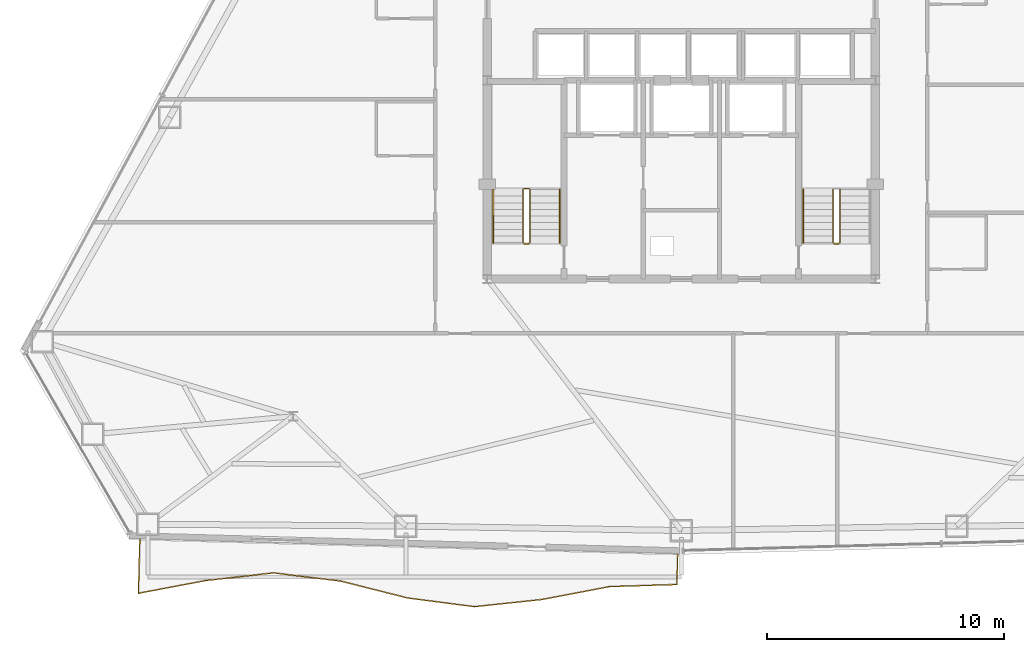
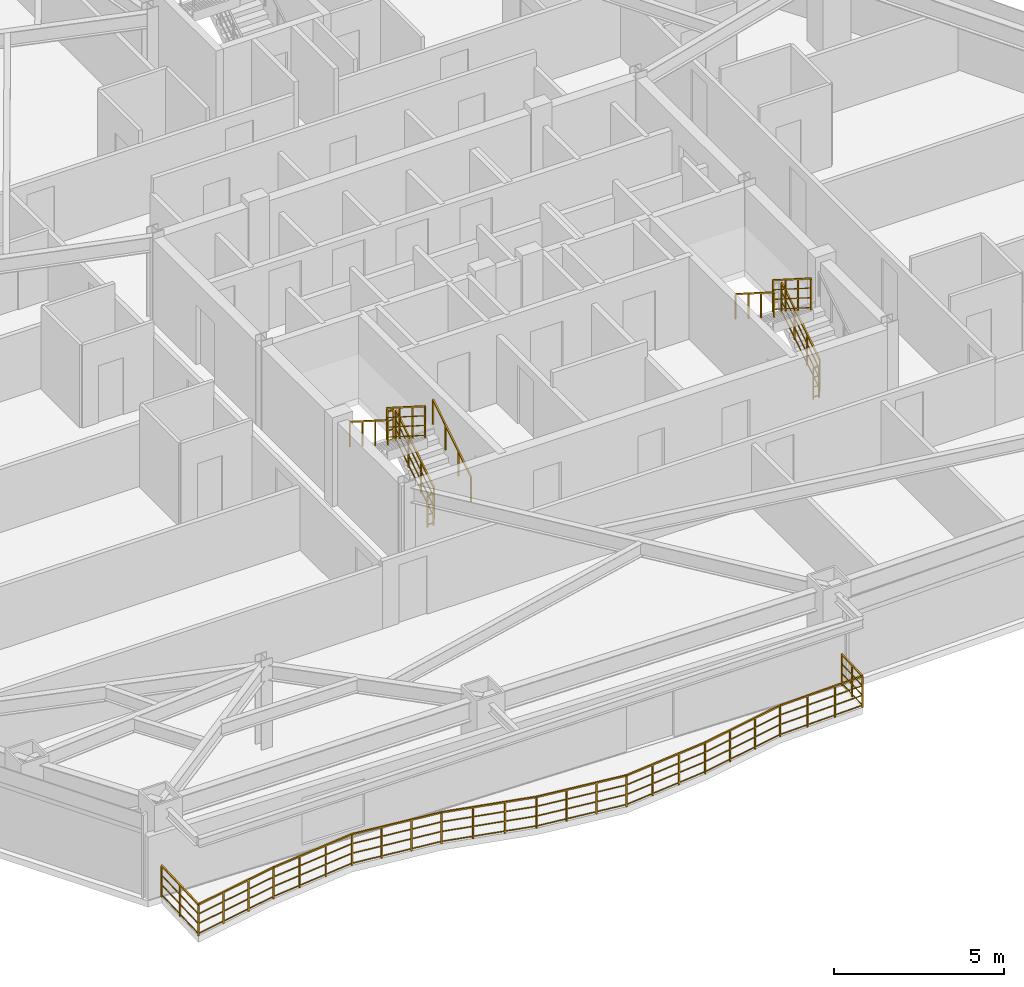
# One storey, part 12 of 13: 20 railings.
"""IFC4 building model written with IfcOpenShell, lengths in metres."""

from ifc_helpers import new_model, si_unit, direction, frame, origin, origin_2d, place, context, subcontext, project, spatial, rectangle, extrude, material, type_object, element, save


model = new_model("IFC4")

# Units and contexts
model_context = context("Model", 3, precision=1e-05, world=origin(), true_north=direction((0.0, 1.0)))
body_context = subcontext(model_context, "Body", "Model", "MODEL_VIEW")
ifc_project = project(units=[si_unit("LENGTHUNIT", "METRE"), si_unit("AREAUNIT", "SQUARE_METRE"), si_unit("VOLUMEUNIT", "CUBIC_METRE"), si_unit("PLANEANGLEUNIT", "RADIAN"), si_unit("MASSUNIT", "GRAM", prefix="KILO")], contexts=[model_context])

# Site, building, storey
site_placement = place(None, origin())
site = spatial("IfcSite", under=ifc_project, at=site_placement, CompositionType="ELEMENT")
building_placement = place(site_placement, origin())
building = spatial("IfcBuilding", under=site, at=building_placement, Name="Varakhsha Concourse Tower", CompositionType="ELEMENT")
storey_placement = place(building_placement, frame((0.0, 0.0, 102.199951171875)))
storey = spatial("IfcBuildingStorey", under=building, at=storey_placement, Name="L29", CompositionType="ELEMENT", Elevation=102.199951171875)

# Railings
ifc_material_1 = material(Name="Laminated Structural Low-Iron Glass 52 mm", Category="glass")
railing_type_1 = type_object("IfcRailingType", Name="RL-BALUSTRADE-1150", PredefinedType="BALUSTRADE", material=ifc_material_1)
railing_1_placement = place(storey_placement, frame((17.11572265625, 5.3876953125, 0.0)))
element("IfcRailing", 1, at=railing_1_placement, inside=storey, type_object=railing_type_1, Name="L29 Perimeter Safety Balustrade RL-LOG-L29-01", PredefinedType="BALUSTRADE", context=body_context, shape_type="SweptSolid", body=[
    extrude(rectangle(XDim=0.048095703125, YDim=0.048095703125, at=origin_2d()), frame((0.0, 0.0, 1.1259765625), z_axis=(-0.027481026125, -0.999622325282, 0.0), x_axis=(0.999622325282, -0.027481026125, 0.0)), (0.0, 0.0, 1.0), 2.2744140625),
    extrude(rectangle(XDim=0.028076171875, YDim=0.028076171875, at=origin_2d()), frame((0.0, 0.0, 0.080078125), z_axis=(-0.027481026125, -0.999622325282, 0.0), x_axis=(0.999622325282, -0.027481026125, 0.0)), (0.0, 0.0, 1.0), 2.2744140625),
    extrude(rectangle(XDim=0.028076171875, YDim=0.028076171875, at=origin_2d()), frame((0.0, 0.0, 0.43701171875), z_axis=(-0.027481026125, -0.999622325282, 0.0), x_axis=(0.999622325282, -0.027481026125, 0.0)), (0.0, 0.0, 1.0), 2.2744140625),
    extrude(rectangle(XDim=0.028076171875, YDim=0.028076171875, at=origin_2d()), frame((0.0, 0.0, 0.781982421875), z_axis=(-0.027481026125, -0.999622325282, 0.0), x_axis=(0.999622325282, -0.027481026125, 0.0)), (0.0, 0.0, 1.0), 2.2744140625),
    extrude(rectangle(XDim=0.0419921875, YDim=0.0419921875, at=origin_2d()), origin(), (0.0, 0.0, 1.0), 1.101806640625),
    extrude(rectangle(XDim=0.0419921875, YDim=0.0419921875, at=origin_2d()), frame((-0.03125, -1.13671875, 0.0)), (0.0, 0.0, 1.0), 1.101806640625),
    extrude(rectangle(XDim=0.0419921875, YDim=0.0419921875, at=origin_2d()), frame((-0.0625, -2.2734375, 0.0)), (0.0, 0.0, 1.0), 1.101806640625),
])
railing_2_placement = place(storey_placement, frame((17.05322265625, 3.1142578125, 0.0)))
element("IfcRailing", 2, at=railing_2_placement, inside=storey, type_object=railing_type_1, Name="L29 Perimeter Safety Balustrade RL-LOG-L29-02", PredefinedType="BALUSTRADE", context=body_context, shape_type="SweptSolid", body=[
    extrude(rectangle(XDim=0.048095703125, YDim=0.048095703125, at=origin_2d()), frame((0.0, 0.0, 1.1259765625), z_axis=(0.982591778887, 0.185777813702, 0.0), x_axis=(-0.185777813702, 0.982591778887, 0.0)), (0.0, 0.0, 1.0), 2.909423828125),
    extrude(rectangle(XDim=0.028076171875, YDim=0.028076171875, at=origin_2d()), frame((0.0, 0.0, 0.080078125), z_axis=(0.982591778887, 0.185777813702, 0.0), x_axis=(-0.185777813702, 0.982591778887, 0.0)), (0.0, 0.0, 1.0), 2.909423828125),
    extrude(rectangle(XDim=0.028076171875, YDim=0.028076171875, at=origin_2d()), frame((0.0, 0.0, 0.43701171875), z_axis=(0.982591778887, 0.185777813702, 0.0), x_axis=(-0.185777813702, 0.982591778887, 0.0)), (0.0, 0.0, 1.0), 2.909423828125),
    extrude(rectangle(XDim=0.028076171875, YDim=0.028076171875, at=origin_2d()), frame((0.0, 0.0, 0.781982421875), z_axis=(0.982591778887, 0.185777813702, 0.0), x_axis=(-0.185777813702, 0.982591778887, 0.0)), (0.0, 0.0, 1.0), 2.909423828125),
    extrude(rectangle(XDim=0.0419921875, YDim=0.0419921875, at=origin_2d()), origin(), (0.0, 0.0, 1.0), 1.101806640625),
    extrude(rectangle(XDim=0.0419921875, YDim=0.0419921875, at=origin_2d()), frame((0.952880859375, 0.18017578125, 0.0)), (0.0, 0.0, 1.0), 1.101806640625),
    extrude(rectangle(XDim=0.0419921875, YDim=0.0419921875, at=origin_2d()), frame((1.906005859375, 0.3603515625, 0.0)), (0.0, 0.0, 1.0), 1.101806640625),
    extrude(rectangle(XDim=0.0419921875, YDim=0.0419921875, at=origin_2d()), frame((2.85888671875, 0.54052734375, 0.0)), (0.0, 0.0, 1.0), 1.101806640625),
])
railing_3_placement = place(storey_placement, frame((19.912109375, 3.65478515625, 0.0)))
element("IfcRailing", 3, at=railing_3_placement, inside=storey, type_object=railing_type_1, Name="L29 Perimeter Safety Balustrade RL-LOG-L29-03", PredefinedType="BALUSTRADE", context=body_context, shape_type="SweptSolid", body=[
    extrude(rectangle(XDim=0.048095703125, YDim=0.048095703125, at=origin_2d()), frame((0.0, 0.0, 1.1259765625), z_axis=(0.993689323443, 0.112167412719, 0.0), x_axis=(-0.112167412719, 0.993689323443, 0.0)), (0.0, 0.0, 1.0), 2.870849609375),
    extrude(rectangle(XDim=0.028076171875, YDim=0.028076171875, at=origin_2d()), frame((0.0, 0.0, 0.080078125), z_axis=(0.993689323443, 0.112167412719, 0.0), x_axis=(-0.112167412719, 0.993689323443, 0.0)), (0.0, 0.0, 1.0), 2.870849609375),
    extrude(rectangle(XDim=0.028076171875, YDim=0.028076171875, at=origin_2d()), frame((0.0, 0.0, 0.43701171875), z_axis=(0.993689323443, 0.112167412719, 0.0), x_axis=(-0.112167412719, 0.993689323443, 0.0)), (0.0, 0.0, 1.0), 2.870849609375),
    extrude(rectangle(XDim=0.028076171875, YDim=0.028076171875, at=origin_2d()), frame((0.0, 0.0, 0.781982421875), z_axis=(0.993689323443, 0.112167412719, 0.0), x_axis=(-0.112167412719, 0.993689323443, 0.0)), (0.0, 0.0, 1.0), 2.870849609375),
    extrude(rectangle(XDim=0.0419921875, YDim=0.0419921875, at=origin_2d()), origin(), (0.0, 0.0, 1.0), 1.101806640625),
    extrude(rectangle(XDim=0.0419921875, YDim=0.0419921875, at=origin_2d()), frame((0.950927734375, 0.107421875, 0.0)), (0.0, 0.0, 1.0), 1.101806640625),
    extrude(rectangle(XDim=0.0419921875, YDim=0.0419921875, at=origin_2d()), frame((1.90185546875, 0.214599609375, 0.0)), (0.0, 0.0, 1.0), 1.101806640625),
    extrude(rectangle(XDim=0.0419921875, YDim=0.0419921875, at=origin_2d()), frame((2.852783203125, 0.322021484375, 0.0)), (0.0, 0.0, 1.0), 1.101806640625),
])
railing_4_placement = place(storey_placement, frame((22.764892578125, 3.976806640625, 0.0)))
element("IfcRailing", 4, at=railing_4_placement, inside=storey, type_object=railing_type_1, Name="L29 Perimeter Safety Balustrade RL-LOG-L29-04", PredefinedType="BALUSTRADE", context=body_context, shape_type="SweptSolid", body=[
    extrude(rectangle(XDim=0.048095703125, YDim=0.048095703125, at=origin_2d()), frame((0.0, 0.0, 1.1259765625), z_axis=(0.992643120641, -0.121076979828, 0.0), x_axis=(0.121076979828, 0.992643120641, 0.0)), (0.0, 0.0, 1.0), 2.855224609375),
    extrude(rectangle(XDim=0.028076171875, YDim=0.028076171875, at=origin_2d()), frame((0.0, 0.0, 0.080078125), z_axis=(0.992643120641, -0.121076979828, 0.0), x_axis=(0.121076979828, 0.992643120641, 0.0)), (0.0, 0.0, 1.0), 2.855224609375),
    extrude(rectangle(XDim=0.028076171875, YDim=0.028076171875, at=origin_2d()), frame((0.0, 0.0, 0.43701171875), z_axis=(0.992643120641, -0.121076979828, 0.0), x_axis=(0.121076979828, 0.992643120641, 0.0)), (0.0, 0.0, 1.0), 2.855224609375),
    extrude(rectangle(XDim=0.028076171875, YDim=0.028076171875, at=origin_2d()), frame((0.0, 0.0, 0.781982421875), z_axis=(0.992643120641, -0.121076979828, 0.0), x_axis=(0.121076979828, 0.992643120641, 0.0)), (0.0, 0.0, 1.0), 2.855224609375),
    extrude(rectangle(XDim=0.0419921875, YDim=0.0419921875, at=origin_2d()), origin(), (0.0, 0.0, 1.0), 1.101806640625),
    extrude(rectangle(XDim=0.0419921875, YDim=0.0419921875, at=origin_2d()), frame((0.94482421875, -0.115234375, 0.0)), (0.0, 0.0, 1.0), 1.101806640625),
    extrude(rectangle(XDim=0.0419921875, YDim=0.0419921875, at=origin_2d()), frame((1.889404296875, -0.23046875, 0.0)), (0.0, 0.0, 1.0), 1.101806640625),
    extrude(rectangle(XDim=0.0419921875, YDim=0.0419921875, at=origin_2d()), frame((2.834228515625, -0.345703125, 0.0)), (0.0, 0.0, 1.0), 1.101806640625),
])
railing_5_placement = place(storey_placement, frame((25.59912109375, 3.631103515625, 0.0)))
element("IfcRailing", 5, at=railing_5_placement, inside=storey, type_object=railing_type_1, Name="L29 Perimeter Safety Balustrade RL-LOG-L29-05", PredefinedType="BALUSTRADE", context=body_context, shape_type="SweptSolid", body=[
    extrude(rectangle(XDim=0.048095703125, YDim=0.048095703125, at=origin_2d()), frame((0.0, 0.0, 1.1259765625), z_axis=(0.969533118849, -0.244960265053, 0.0), x_axis=(0.244960265053, 0.969533118849, 0.0)), (0.0, 0.0, 1.0), 2.913330078125),
    extrude(rectangle(XDim=0.028076171875, YDim=0.028076171875, at=origin_2d()), frame((0.0, 0.0, 0.080078125), z_axis=(0.969533118849, -0.244960265053, 0.0), x_axis=(0.244960265053, 0.969533118849, 0.0)), (0.0, 0.0, 1.0), 2.913330078125),
    extrude(rectangle(XDim=0.028076171875, YDim=0.028076171875, at=origin_2d()), frame((0.0, 0.0, 0.43701171875), z_axis=(0.969533118849, -0.244960265053, 0.0), x_axis=(0.244960265053, 0.969533118849, 0.0)), (0.0, 0.0, 1.0), 2.913330078125),
    extrude(rectangle(XDim=0.028076171875, YDim=0.028076171875, at=origin_2d()), frame((0.0, 0.0, 0.781982421875), z_axis=(0.969533118849, -0.244960265053, 0.0), x_axis=(0.244960265053, 0.969533118849, 0.0)), (0.0, 0.0, 1.0), 2.913330078125),
    extrude(rectangle(XDim=0.0419921875, YDim=0.0419921875, at=origin_2d()), origin(), (0.0, 0.0, 1.0), 1.101806640625),
    extrude(rectangle(XDim=0.0419921875, YDim=0.0419921875, at=origin_2d()), frame((0.94140625, -0.23779296875, 0.0)), (0.0, 0.0, 1.0), 1.101806640625),
    extrude(rectangle(XDim=0.0419921875, YDim=0.0419921875, at=origin_2d()), frame((1.883056640625, -0.475830078125, 0.0)), (0.0, 0.0, 1.0), 1.101806640625),
    extrude(rectangle(XDim=0.0419921875, YDim=0.0419921875, at=origin_2d()), frame((2.824462890625, -0.713623046875, 0.0)), (0.0, 0.0, 1.0), 1.101806640625),
])
railing_6_placement = place(storey_placement, frame((28.423583984375, 2.91748046875, 0.0)))
element("IfcRailing", 6, at=railing_6_placement, inside=storey, type_object=railing_type_1, Name="L29 Perimeter Safety Balustrade RL-LOG-L29-06", PredefinedType="BALUSTRADE", context=body_context, shape_type="SweptSolid", body=[
    extrude(rectangle(XDim=0.048095703125, YDim=0.048095703125, at=origin_2d()), frame((0.0, 0.0, 1.1259765625), z_axis=(0.991654634327, -0.128922791695, 0.0), x_axis=(0.128922791695, 0.991654634327, 0.0)), (0.0, 0.0, 1.0), 2.857666015625),
    extrude(rectangle(XDim=0.028076171875, YDim=0.028076171875, at=origin_2d()), frame((0.0, 0.0, 0.080078125), z_axis=(0.991654634327, -0.128922791695, 0.0), x_axis=(0.128922791695, 0.991654634327, 0.0)), (0.0, 0.0, 1.0), 2.857666015625),
    extrude(rectangle(XDim=0.028076171875, YDim=0.028076171875, at=origin_2d()), frame((0.0, 0.0, 0.43701171875), z_axis=(0.991654634327, -0.128922791695, 0.0), x_axis=(0.128922791695, 0.991654634327, 0.0)), (0.0, 0.0, 1.0), 2.857666015625),
    extrude(rectangle(XDim=0.028076171875, YDim=0.028076171875, at=origin_2d()), frame((0.0, 0.0, 0.781982421875), z_axis=(0.991654634327, -0.128922791695, 0.0), x_axis=(0.128922791695, 0.991654634327, 0.0)), (0.0, 0.0, 1.0), 2.857666015625),
    extrude(rectangle(XDim=0.0419921875, YDim=0.0419921875, at=origin_2d()), origin(), (0.0, 0.0, 1.0), 1.101806640625),
    extrude(rectangle(XDim=0.0419921875, YDim=0.0419921875, at=origin_2d()), frame((0.944580078125, -0.122802734375, 0.0)), (0.0, 0.0, 1.0), 1.101806640625),
    extrude(rectangle(XDim=0.0419921875, YDim=0.0419921875, at=origin_2d()), frame((1.88916015625, -0.24560546875, 0.0)), (0.0, 0.0, 1.0), 1.101806640625),
    extrude(rectangle(XDim=0.0419921875, YDim=0.0419921875, at=origin_2d()), frame((2.833740234375, -0.368408203125, 0.0)), (0.0, 0.0, 1.0), 1.101806640625),
])
railing_7_placement = place(storey_placement, frame((31.25732421875, 2.549072265625, 0.0)))
element("IfcRailing", 7, at=railing_7_placement, inside=storey, type_object=railing_type_1, Name="L29 Perimeter Safety Balustrade RL-LOG-L29-07", PredefinedType="BALUSTRADE", context=body_context, shape_type="SweptSolid", body=[
    extrude(rectangle(XDim=0.048095703125, YDim=0.048095703125, at=origin_2d()), frame((0.0, 0.0, 1.1259765625), z_axis=(0.994432454403, 0.105375963242, 0.0), x_axis=(-0.105375963242, 0.994432454403, 0.0)), (0.0, 0.0, 1.0), 2.8681640625),
    extrude(rectangle(XDim=0.028076171875, YDim=0.028076171875, at=origin_2d()), frame((0.0, 0.0, 0.080078125), z_axis=(0.994432454403, 0.105375963242, 0.0), x_axis=(-0.105375963242, 0.994432454403, 0.0)), (0.0, 0.0, 1.0), 2.8681640625),
    extrude(rectangle(XDim=0.028076171875, YDim=0.028076171875, at=origin_2d()), frame((0.0, 0.0, 0.43701171875), z_axis=(0.994432454403, 0.105375963242, 0.0), x_axis=(-0.105375963242, 0.994432454403, 0.0)), (0.0, 0.0, 1.0), 2.8681640625),
    extrude(rectangle(XDim=0.028076171875, YDim=0.028076171875, at=origin_2d()), frame((0.0, 0.0, 0.781982421875), z_axis=(0.994432454403, 0.105375963242, 0.0), x_axis=(-0.105375963242, 0.994432454403, 0.0)), (0.0, 0.0, 1.0), 2.8681640625),
    extrude(rectangle(XDim=0.0419921875, YDim=0.0419921875, at=origin_2d()), origin(), (0.0, 0.0, 1.0), 1.101806640625),
    extrude(rectangle(XDim=0.0419921875, YDim=0.0419921875, at=origin_2d()), frame((0.95068359375, 0.100830078125, 0.0)), (0.0, 0.0, 1.0), 1.101806640625),
    extrude(rectangle(XDim=0.0419921875, YDim=0.0419921875, at=origin_2d()), frame((1.901611328125, 0.201416015625, 0.0)), (0.0, 0.0, 1.0), 1.101806640625),
    extrude(rectangle(XDim=0.0419921875, YDim=0.0419921875, at=origin_2d()), frame((2.852294921875, 0.30224609375, 0.0)), (0.0, 0.0, 1.0), 1.101806640625),
])
railing_8_placement = place(storey_placement, frame((34.109619140625, 2.851318359375, 0.0)))
element("IfcRailing", 8, at=railing_8_placement, inside=storey, type_object=railing_type_1, Name="L29 Perimeter Safety Balustrade RL-LOG-L29-08", PredefinedType="BALUSTRADE", context=body_context, shape_type="SweptSolid", body=[
    extrude(rectangle(XDim=0.048095703125, YDim=0.048095703125, at=origin_2d()), frame((0.0, 0.0, 1.1259765625), z_axis=(0.982253298248, 0.187559212202, 0.0), x_axis=(-0.187559212202, 0.982253298248, 0.0)), (0.0, 0.0, 1.0), 2.91064453125),
    extrude(rectangle(XDim=0.028076171875, YDim=0.028076171875, at=origin_2d()), frame((0.0, 0.0, 0.080078125), z_axis=(0.982253298248, 0.187559212202, 0.0), x_axis=(-0.187559212202, 0.982253298248, 0.0)), (0.0, 0.0, 1.0), 2.91064453125),
    extrude(rectangle(XDim=0.028076171875, YDim=0.028076171875, at=origin_2d()), frame((0.0, 0.0, 0.43701171875), z_axis=(0.982253298248, 0.187559212202, 0.0), x_axis=(-0.187559212202, 0.982253298248, 0.0)), (0.0, 0.0, 1.0), 2.91064453125),
    extrude(rectangle(XDim=0.028076171875, YDim=0.028076171875, at=origin_2d()), frame((0.0, 0.0, 0.781982421875), z_axis=(0.982253298248, 0.187559212202, 0.0), x_axis=(-0.187559212202, 0.982253298248, 0.0)), (0.0, 0.0, 1.0), 2.91064453125),
    extrude(rectangle(XDim=0.0419921875, YDim=0.0419921875, at=origin_2d()), origin(), (0.0, 0.0, 1.0), 1.101806640625),
    extrude(rectangle(XDim=0.0419921875, YDim=0.0419921875, at=origin_2d()), frame((0.952880859375, 0.181884765625, 0.0)), (0.0, 0.0, 1.0), 1.101806640625),
    extrude(rectangle(XDim=0.0419921875, YDim=0.0419921875, at=origin_2d()), frame((1.906005859375, 0.364013671875, 0.0)), (0.0, 0.0, 1.0), 1.101806640625),
    extrude(rectangle(XDim=0.0419921875, YDim=0.0419921875, at=origin_2d()), frame((2.85888671875, 0.5458984375, 0.0)), (0.0, 0.0, 1.0), 1.101806640625),
])
railing_9_placement = place(storey_placement, frame((36.968505859375, 3.397216796875, 0.0)))
element("IfcRailing", 9, at=railing_9_placement, inside=storey, type_object=railing_type_1, Name="L29 Perimeter Safety Balustrade RL-LOG-L29-09", PredefinedType="BALUSTRADE", context=body_context, shape_type="SweptSolid", body=[
    extrude(rectangle(XDim=0.048095703125, YDim=0.048095703125, at=origin_2d()), frame((0.0, 0.0, 1.1259765625), z_axis=(0.999510318115, 0.031290956867, 0.0), x_axis=(-0.031290956867, 0.999510318115, 0.0)), (0.0, 0.0, 1.0), 2.847900390625),
    extrude(rectangle(XDim=0.028076171875, YDim=0.028076171875, at=origin_2d()), frame((0.0, 0.0, 0.080078125), z_axis=(0.999510318115, 0.031290956867, 0.0), x_axis=(-0.031290956867, 0.999510318115, 0.0)), (0.0, 0.0, 1.0), 2.847900390625),
    extrude(rectangle(XDim=0.028076171875, YDim=0.028076171875, at=origin_2d()), frame((0.0, 0.0, 0.43701171875), z_axis=(0.999510318115, 0.031290956867, 0.0), x_axis=(-0.031290956867, 0.999510318115, 0.0)), (0.0, 0.0, 1.0), 2.847900390625),
    extrude(rectangle(XDim=0.028076171875, YDim=0.028076171875, at=origin_2d()), frame((0.0, 0.0, 0.781982421875), z_axis=(0.999510318115, 0.031290956867, 0.0), x_axis=(-0.031290956867, 0.999510318115, 0.0)), (0.0, 0.0, 1.0), 2.847900390625),
    extrude(rectangle(XDim=0.0419921875, YDim=0.0419921875, at=origin_2d()), origin(), (0.0, 0.0, 1.0), 1.101806640625),
    extrude(rectangle(XDim=0.0419921875, YDim=0.0419921875, at=origin_2d()), frame((0.94873046875, 0.02978515625, 0.0)), (0.0, 0.0, 1.0), 1.101806640625),
    extrude(rectangle(XDim=0.0419921875, YDim=0.0419921875, at=origin_2d()), frame((1.897705078125, 0.059326171875, 0.0)), (0.0, 0.0, 1.0), 1.101806640625),
    extrude(rectangle(XDim=0.0419921875, YDim=0.0419921875, at=origin_2d()), frame((2.846435546875, 0.089111328125, 0.0)), (0.0, 0.0, 1.0), 1.101806640625),
])
railing_10_placement = place(storey_placement, frame((39.81494140625, 3.486328125, 0.0)))
element("IfcRailing", 10, at=railing_10_placement, inside=storey, type_object=railing_type_1, Name="L29 Perimeter Safety Balustrade RL-LOG-L29-10", PredefinedType="BALUSTRADE", context=body_context, shape_type="SweptSolid", body=[
    extrude(rectangle(XDim=0.048095703125, YDim=0.048095703125, at=origin_2d()), frame((0.0, 0.0, 1.1259765625), z_axis=(0.027570438671, 0.999619863204, 0.0), x_axis=(-0.999619863204, 0.027570438671, 0.0)), (0.0, 0.0, 1.0), 1.275146484375),
    extrude(rectangle(XDim=0.028076171875, YDim=0.028076171875, at=origin_2d()), frame((0.0, 0.0, 0.080078125), z_axis=(0.027570438671, 0.999619863204, 0.0), x_axis=(-0.999619863204, 0.027570438671, 0.0)), (0.0, 0.0, 1.0), 1.275146484375),
    extrude(rectangle(XDim=0.028076171875, YDim=0.028076171875, at=origin_2d()), frame((0.0, 0.0, 0.43701171875), z_axis=(0.027570438671, 0.999619863204, 0.0), x_axis=(-0.999619863204, 0.027570438671, 0.0)), (0.0, 0.0, 1.0), 1.275146484375),
    extrude(rectangle(XDim=0.028076171875, YDim=0.028076171875, at=origin_2d()), frame((0.0, 0.0, 0.781982421875), z_axis=(0.027570438671, 0.999619863204, 0.0), x_axis=(-0.999619863204, 0.027570438671, 0.0)), (0.0, 0.0, 1.0), 1.275146484375),
    extrude(rectangle(XDim=0.0419921875, YDim=0.0419921875, at=origin_2d()), origin(), (0.0, 0.0, 1.0), 1.101806640625),
    extrude(rectangle(XDim=0.0419921875, YDim=0.0419921875, at=origin_2d()), frame((0.017578125, 0.63720703125, 0.0)), (0.0, 0.0, 1.0), 1.101806640625),
    extrude(rectangle(XDim=0.0419921875, YDim=0.0419921875, at=origin_2d()), frame((0.03515625, 1.274658203125, 0.0)), (0.0, 0.0, 1.0), 1.101806640625),
])
ifc_material_2 = material(Name="Brushed Austenitic Stainless Steel AISI 316", Category="steel")
railing_type_2 = type_object("IfcRailingType", Name="RL-STAIR-GUARD-1100", PredefinedType="GUARDRAIL", material=ifc_material_2)
railing_11_placement = place(storey_placement, frame((33.610107421875, 17.93994140625, 0.177734375)))
element("IfcRailing", 11, at=railing_11_placement, inside=storey, type_object=railing_type_2, Name="L29 ST1 stair guard 1", PredefinedType="GUARDRAIL", context=body_context, shape_type="SweptSolid", body=[
    extrude(rectangle(XDim=0.048095703125, YDim=0.048095703125, at=origin_2d()), frame((0.0, 0.0, 1.1259765625), z_axis=(0.0, 0.84418770128, 0.536047689118), x_axis=(-1.0, 0.0, 0.0)), (0.0, 0.0, 1.0), 2.6533203125),
    extrude(rectangle(XDim=0.028076171875, YDim=0.028076171875, at=origin_2d()), frame((0.0, 0.0, 0.080078125), z_axis=(0.0, 0.84418770128, 0.536047689118), x_axis=(-1.0, 0.0, 0.0)), (0.0, 0.0, 1.0), 2.6533203125),
    extrude(rectangle(XDim=0.028076171875, YDim=0.028076171875, at=origin_2d()), frame((0.0, 0.0, 0.43701171875), z_axis=(0.0, 0.84418770128, 0.536047689118), x_axis=(-1.0, 0.0, 0.0)), (0.0, 0.0, 1.0), 2.6533203125),
    extrude(rectangle(XDim=0.028076171875, YDim=0.028076171875, at=origin_2d()), frame((0.0, 0.0, 0.781982421875), z_axis=(0.0, 0.84418770128, 0.536047689118), x_axis=(-1.0, 0.0, 0.0)), (0.0, 0.0, 1.0), 2.6533203125),
    extrude(rectangle(XDim=0.0419921875, YDim=0.0419921875, at=origin_2d()), origin(), (0.0, 0.0, 1.0), 1.101806640625),
    extrude(rectangle(XDim=0.0419921875, YDim=0.0419921875, at=origin_2d()), frame((0.0, 0.74658203125, 0.47412109375)), (0.0, 0.0, 1.0), 1.101806640625),
    extrude(rectangle(XDim=0.0419921875, YDim=0.0419921875, at=origin_2d()), frame((0.0, 1.493408203125, 0.9482421875)), (0.0, 0.0, 1.0), 1.101806640625),
    extrude(rectangle(XDim=0.0419921875, YDim=0.0419921875, at=origin_2d()), frame((0.0, 2.239990234375, 1.42236328125)), (0.0, 0.0, 1.0), 1.101806640625),
])
railing_12_placement = place(storey_placement, frame((33.56005859375, 20.22998046875, 1.60009765625)))
element("IfcRailing", 12, at=railing_12_placement, inside=storey, type_object=railing_type_2, Name="L29 ST1 stair guard 2", PredefinedType="GUARDRAIL", context=body_context, shape_type="SweptSolid", body=[
    extrude(rectangle(XDim=0.048095703125, YDim=0.048095703125, at=origin_2d()), frame((0.0, 0.0, 1.1259765625), z_axis=(-1.0, 0.0, 0.0), x_axis=(0.0, -1.0, 0.0)), (0.0, 0.0, 1.0), 0.199951171875),
    extrude(rectangle(XDim=0.028076171875, YDim=0.028076171875, at=origin_2d()), frame((0.0, 0.0, 0.080078125), z_axis=(-1.0, 0.0, 0.0), x_axis=(0.0, -1.0, 0.0)), (0.0, 0.0, 1.0), 0.199951171875),
    extrude(rectangle(XDim=0.028076171875, YDim=0.028076171875, at=origin_2d()), frame((0.0, 0.0, 0.43701171875), z_axis=(-1.0, 0.0, 0.0), x_axis=(0.0, -1.0, 0.0)), (0.0, 0.0, 1.0), 0.199951171875),
    extrude(rectangle(XDim=0.028076171875, YDim=0.028076171875, at=origin_2d()), frame((0.0, 0.0, 0.781982421875), z_axis=(-1.0, 0.0, 0.0), x_axis=(0.0, -1.0, 0.0)), (0.0, 0.0, 1.0), 0.199951171875),
    extrude(rectangle(XDim=0.0419921875, YDim=0.0419921875, at=origin_2d()), origin(), (0.0, 0.0, 1.0), 1.101806640625),
    extrude(rectangle(XDim=0.0419921875, YDim=0.0419921875, at=origin_2d()), frame((-0.199951171875, 0.0, 0.0)), (0.0, 0.0, 1.0), 1.101806640625),
])
railing_13_placement = place(storey_placement, frame((33.31005859375, 20.179931640625, 1.77783203125)))
element("IfcRailing", 13, at=railing_13_placement, inside=storey, type_object=railing_type_2, Name="L29 ST1 stair guard 3", PredefinedType="GUARDRAIL", context=body_context, shape_type="SweptSolid", body=[
    extrude(rectangle(XDim=0.048095703125, YDim=0.048095703125, at=origin_2d()), frame((0.0, 0.0, 1.1259765625), z_axis=(0.0, -0.8442293374, 0.53598211339), x_axis=(1.0, 0.0, 0.0)), (0.0, 0.0, 1.0), 2.6533203125),
    extrude(rectangle(XDim=0.028076171875, YDim=0.028076171875, at=origin_2d()), frame((0.0, 0.0, 0.080078125), z_axis=(0.0, -0.8442293374, 0.53598211339), x_axis=(1.0, 0.0, 0.0)), (0.0, 0.0, 1.0), 2.6533203125),
    extrude(rectangle(XDim=0.028076171875, YDim=0.028076171875, at=origin_2d()), frame((0.0, 0.0, 0.43701171875), z_axis=(0.0, -0.8442293374, 0.53598211339), x_axis=(1.0, 0.0, 0.0)), (0.0, 0.0, 1.0), 2.6533203125),
    extrude(rectangle(XDim=0.028076171875, YDim=0.028076171875, at=origin_2d()), frame((0.0, 0.0, 0.781982421875), z_axis=(0.0, -0.8442293374, 0.53598211339), x_axis=(1.0, 0.0, 0.0)), (0.0, 0.0, 1.0), 2.6533203125),
    extrude(rectangle(XDim=0.0419921875, YDim=0.0419921875, at=origin_2d()), origin(), (0.0, 0.0, 1.0), 1.101806640625),
    extrude(rectangle(XDim=0.0419921875, YDim=0.0419921875, at=origin_2d()), frame((0.0, -0.74658203125, 0.47412109375)), (0.0, 0.0, 1.0), 1.101806640625),
    extrude(rectangle(XDim=0.0419921875, YDim=0.0419921875, at=origin_2d()), frame((0.0, -1.493408203125, 0.947998046875)), (0.0, 0.0, 1.0), 1.101806640625),
    extrude(rectangle(XDim=0.0419921875, YDim=0.0419921875, at=origin_2d()), frame((0.0, -2.239990234375, 1.422119140625)), (0.0, 0.0, 1.0), 1.101806640625),
])
railing_14_placement = place(storey_placement, frame((33.56005859375, 17.889892578125, 0.0)))
element("IfcRailing", 14, at=railing_14_placement, inside=storey, type_object=railing_type_2, Name="L29 ST1 stair guard 4", PredefinedType="GUARDRAIL", context=body_context, shape_type="SweptSolid", body=[
    extrude(rectangle(XDim=0.048095703125, YDim=0.048095703125, at=origin_2d()), frame((0.0, 0.0, 1.1259765625), z_axis=(-1.0, 0.0, 0.0), x_axis=(0.0, -1.0, 0.0)), (0.0, 0.0, 1.0), 0.199951171875),
    extrude(rectangle(XDim=0.028076171875, YDim=0.028076171875, at=origin_2d()), frame((0.0, 0.0, 0.080078125), z_axis=(-1.0, 0.0, 0.0), x_axis=(0.0, -1.0, 0.0)), (0.0, 0.0, 1.0), 0.199951171875),
    extrude(rectangle(XDim=0.028076171875, YDim=0.028076171875, at=origin_2d()), frame((0.0, 0.0, 0.43701171875), z_axis=(-1.0, 0.0, 0.0), x_axis=(0.0, -1.0, 0.0)), (0.0, 0.0, 1.0), 0.199951171875),
    extrude(rectangle(XDim=0.028076171875, YDim=0.028076171875, at=origin_2d()), frame((0.0, 0.0, 0.781982421875), z_axis=(-1.0, 0.0, 0.0), x_axis=(0.0, -1.0, 0.0)), (0.0, 0.0, 1.0), 0.199951171875),
    extrude(rectangle(XDim=0.0419921875, YDim=0.0419921875, at=origin_2d()), origin(), (0.0, 0.0, 1.0), 1.101806640625),
    extrude(rectangle(XDim=0.0419921875, YDim=0.0419921875, at=origin_2d()), frame((-0.199951171875, 0.0, 0.0)), (0.0, 0.0, 1.0), 1.101806640625),
])
railing_15_placement = place(storey_placement, frame((46.7099609375, 17.93994140625, 0.177734375)))
element("IfcRailing", 15, at=railing_15_placement, inside=storey, type_object=railing_type_2, Name="L29 ST2 stair guard 1", PredefinedType="GUARDRAIL", context=body_context, shape_type="SweptSolid", body=[
    extrude(rectangle(XDim=0.048095703125, YDim=0.048095703125, at=origin_2d()), frame((0.0, 0.0, 1.1259765625), z_axis=(0.0, 0.84418770128, 0.536047689118), x_axis=(-1.0, 0.0, 0.0)), (0.0, 0.0, 1.0), 2.6533203125),
    extrude(rectangle(XDim=0.028076171875, YDim=0.028076171875, at=origin_2d()), frame((0.0, 0.0, 0.080078125), z_axis=(0.0, 0.84418770128, 0.536047689118), x_axis=(-1.0, 0.0, 0.0)), (0.0, 0.0, 1.0), 2.6533203125),
    extrude(rectangle(XDim=0.028076171875, YDim=0.028076171875, at=origin_2d()), frame((0.0, 0.0, 0.43701171875), z_axis=(0.0, 0.84418770128, 0.536047689118), x_axis=(-1.0, 0.0, 0.0)), (0.0, 0.0, 1.0), 2.6533203125),
    extrude(rectangle(XDim=0.028076171875, YDim=0.028076171875, at=origin_2d()), frame((0.0, 0.0, 0.781982421875), z_axis=(0.0, 0.84418770128, 0.536047689118), x_axis=(-1.0, 0.0, 0.0)), (0.0, 0.0, 1.0), 2.6533203125),
    extrude(rectangle(XDim=0.0419921875, YDim=0.0419921875, at=origin_2d()), origin(), (0.0, 0.0, 1.0), 1.101806640625),
    extrude(rectangle(XDim=0.0419921875, YDim=0.0419921875, at=origin_2d()), frame((0.0, 0.74658203125, 0.47412109375)), (0.0, 0.0, 1.0), 1.101806640625),
    extrude(rectangle(XDim=0.0419921875, YDim=0.0419921875, at=origin_2d()), frame((0.0, 1.493408203125, 0.9482421875)), (0.0, 0.0, 1.0), 1.101806640625),
    extrude(rectangle(XDim=0.0419921875, YDim=0.0419921875, at=origin_2d()), frame((0.0, 2.239990234375, 1.42236328125)), (0.0, 0.0, 1.0), 1.101806640625),
])
railing_16_placement = place(storey_placement, frame((46.409912109375, 20.179931640625, 1.77783203125)))
element("IfcRailing", 16, at=railing_16_placement, inside=storey, type_object=railing_type_2, Name="L29 ST2 stair guard 3", PredefinedType="GUARDRAIL", context=body_context, shape_type="SweptSolid", body=[
    extrude(rectangle(XDim=0.048095703125, YDim=0.048095703125, at=origin_2d()), frame((0.0, 0.0, 1.1259765625), z_axis=(0.0, -0.8442293374, 0.53598211339), x_axis=(1.0, 0.0, 0.0)), (0.0, 0.0, 1.0), 2.6533203125),
    extrude(rectangle(XDim=0.028076171875, YDim=0.028076171875, at=origin_2d()), frame((0.0, 0.0, 0.080078125), z_axis=(0.0, -0.8442293374, 0.53598211339), x_axis=(1.0, 0.0, 0.0)), (0.0, 0.0, 1.0), 2.6533203125),
    extrude(rectangle(XDim=0.028076171875, YDim=0.028076171875, at=origin_2d()), frame((0.0, 0.0, 0.43701171875), z_axis=(0.0, -0.8442293374, 0.53598211339), x_axis=(1.0, 0.0, 0.0)), (0.0, 0.0, 1.0), 2.6533203125),
    extrude(rectangle(XDim=0.028076171875, YDim=0.028076171875, at=origin_2d()), frame((0.0, 0.0, 0.781982421875), z_axis=(0.0, -0.8442293374, 0.53598211339), x_axis=(1.0, 0.0, 0.0)), (0.0, 0.0, 1.0), 2.6533203125),
    extrude(rectangle(XDim=0.0419921875, YDim=0.0419921875, at=origin_2d()), origin(), (0.0, 0.0, 1.0), 1.101806640625),
    extrude(rectangle(XDim=0.0419921875, YDim=0.0419921875, at=origin_2d()), frame((0.0, -0.74658203125, 0.47412109375)), (0.0, 0.0, 1.0), 1.101806640625),
    extrude(rectangle(XDim=0.0419921875, YDim=0.0419921875, at=origin_2d()), frame((0.0, -1.493408203125, 0.947998046875)), (0.0, 0.0, 1.0), 1.101806640625),
    extrude(rectangle(XDim=0.0419921875, YDim=0.0419921875, at=origin_2d()), frame((0.0, -2.239990234375, 1.422119140625)), (0.0, 0.0, 1.0), 1.101806640625),
])
railing_17_placement = place(storey_placement, frame((46.659912109375, 17.889892578125, 0.0)))
element("IfcRailing", 17, at=railing_17_placement, inside=storey, type_object=railing_type_2, Name="L29 ST2 stair guard 4", PredefinedType="GUARDRAIL", context=body_context, shape_type="SweptSolid", body=[
    extrude(rectangle(XDim=0.048095703125, YDim=0.048095703125, at=origin_2d()), frame((0.0, 0.0, 1.1259765625), z_axis=(-1.0, 0.0, 0.0), x_axis=(0.0, -1.0, 0.0)), (0.0, 0.0, 1.0), 0.199951171875),
    extrude(rectangle(XDim=0.028076171875, YDim=0.028076171875, at=origin_2d()), frame((0.0, 0.0, 0.080078125), z_axis=(-1.0, 0.0, 0.0), x_axis=(0.0, -1.0, 0.0)), (0.0, 0.0, 1.0), 0.199951171875),
    extrude(rectangle(XDim=0.028076171875, YDim=0.028076171875, at=origin_2d()), frame((0.0, 0.0, 0.43701171875), z_axis=(-1.0, 0.0, 0.0), x_axis=(0.0, -1.0, 0.0)), (0.0, 0.0, 1.0), 0.199951171875),
    extrude(rectangle(XDim=0.028076171875, YDim=0.028076171875, at=origin_2d()), frame((0.0, 0.0, 0.781982421875), z_axis=(-1.0, 0.0, 0.0), x_axis=(0.0, -1.0, 0.0)), (0.0, 0.0, 1.0), 0.199951171875),
    extrude(rectangle(XDim=0.0419921875, YDim=0.0419921875, at=origin_2d()), origin(), (0.0, 0.0, 1.0), 1.101806640625),
    extrude(rectangle(XDim=0.0419921875, YDim=0.0419921875, at=origin_2d()), frame((-0.199951171875, 0.0, 0.0)), (0.0, 0.0, 1.0), 1.101806640625),
])
railing_type_3 = type_object("IfcRailingType", Name="RL-STAIR-RAIL-915", PredefinedType="HANDRAIL", material=ifc_material_2)
railing_18_placement = place(storey_placement, frame((34.8701171875, 17.93994140625, 0.355712890625)))
element("IfcRailing", 18, at=railing_18_placement, inside=storey, type_object=railing_type_3, Name="L29 ST1 stair handrail 1", PredefinedType="HANDRAIL", context=body_context, shape_type="SweptSolid", body=[
    extrude(rectangle(XDim=0.048095703125, YDim=0.048095703125, at=origin_2d()), frame((0.0, 0.0, 0.89111328125), z_axis=(0.0, 0.8442293374, 0.53598211339), x_axis=(-1.0, 0.0, 0.0)), (0.0, 0.0, 1.0), 2.6533203125),
    extrude(rectangle(XDim=0.0419921875, YDim=0.0419921875, at=origin_2d()), origin(), (0.0, 0.0, 1.0), 0.866943359375),
    extrude(rectangle(XDim=0.0419921875, YDim=0.0419921875, at=origin_2d()), frame((0.0, 0.74658203125, 0.47412109375)), (0.0, 0.0, 1.0), 0.866943359375),
    extrude(rectangle(XDim=0.0419921875, YDim=0.0419921875, at=origin_2d()), frame((0.0, 1.493408203125, 0.947998046875)), (0.0, 0.0, 1.0), 0.866943359375),
    extrude(rectangle(XDim=0.0419921875, YDim=0.0419921875, at=origin_2d()), frame((0.0, 2.239990234375, 1.422119140625)), (0.0, 0.0, 1.0), 0.866943359375),
])
for number, where, name in (
    (19, (32.050048828125, 20.179931640625, 1.95556640625), "L29 ST1 stair handrail 2"),
    (20, (45.14990234375, 20.179931640625, 1.95556640625), "L29 ST2 stair handrail 2"),
):
    element("IfcRailing", number, at=place(storey_placement, frame(where)), inside=storey, type_object=railing_type_3, Name=name, PredefinedType="HANDRAIL", context=body_context, shape_type="SweptSolid", body=[
        extrude(rectangle(XDim=0.048095703125, YDim=0.048095703125, at=origin_2d()), frame((0.0, 0.0, 0.89111328125), z_axis=(0.0, -0.84418770128, 0.536047689118), x_axis=(1.0, 0.0, 0.0)), (0.0, 0.0, 1.0), 2.6533203125),
        extrude(rectangle(XDim=0.0419921875, YDim=0.0419921875, at=origin_2d()), origin(), (0.0, 0.0, 1.0), 0.866943359375),
        extrude(rectangle(XDim=0.0419921875, YDim=0.0419921875, at=origin_2d()), frame((0.0, -0.74658203125, 0.47412109375)), (0.0, 0.0, 1.0), 0.866943359375),
        extrude(rectangle(XDim=0.0419921875, YDim=0.0419921875, at=origin_2d()), frame((0.0, -1.493408203125, 0.9482421875)), (0.0, 0.0, 1.0), 0.866943359375),
        extrude(rectangle(XDim=0.0419921875, YDim=0.0419921875, at=origin_2d()), frame((0.0, -2.239990234375, 1.42236328125)), (0.0, 0.0, 1.0), 0.866943359375),
    ])

save(model, "model.ifc")
